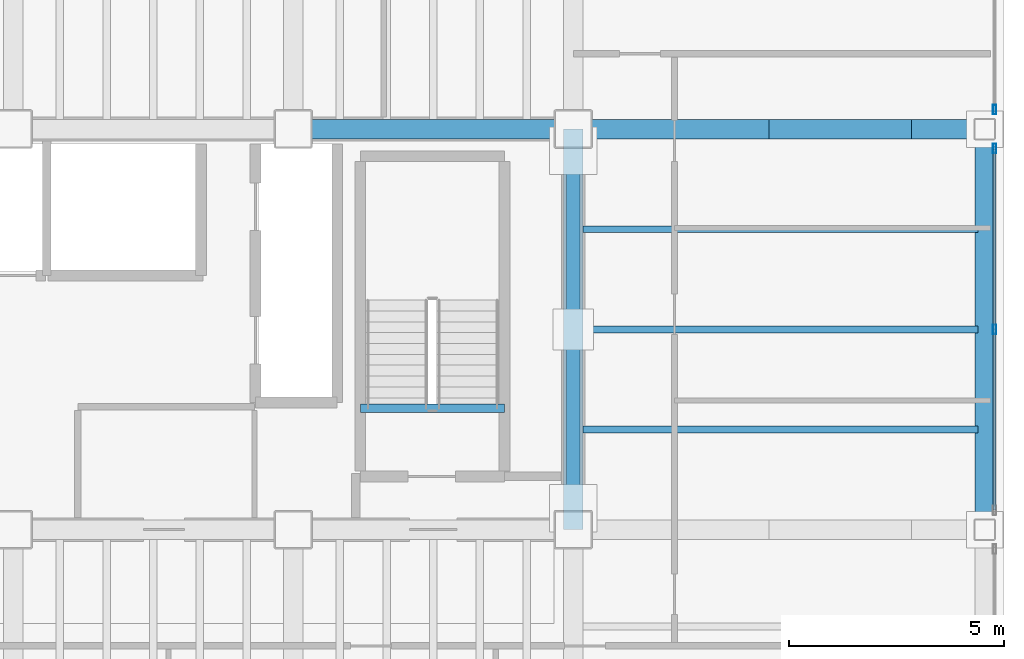
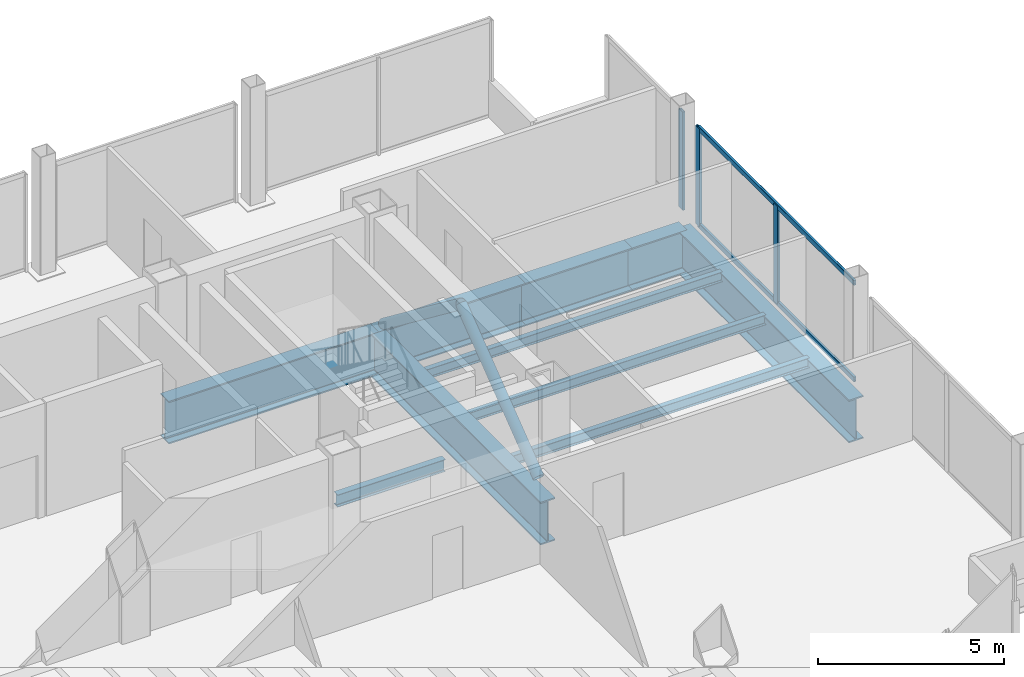
# One storey, part 13 of 19: 10 beams, 7 members, 2 elements without a shape of their own.
"""IFC4 building model written with IfcOpenShell, lengths in metres."""

from ifc_helpers import new_model, si_unit, direction, frame, origin, origin_2d, place, context, subcontext, project, spatial, hollow_rectangle, hollow_circle, i_section, extrude, material, material_profile, profile_set, type_object, element, aggregate, save


model = new_model("IFC4")

# Units and contexts
model_context = context("Model", 3, precision=1e-05, world=origin(), true_north=direction((0.0, 1.0)))
body_context = subcontext(model_context, "Body", "Model", "MODEL_VIEW")
ifc_project = project(units=[si_unit("LENGTHUNIT", "METRE"), si_unit("AREAUNIT", "SQUARE_METRE"), si_unit("VOLUMEUNIT", "CUBIC_METRE"), si_unit("PLANEANGLEUNIT", "RADIAN"), si_unit("MASSUNIT", "GRAM", prefix="KILO")], contexts=[model_context])

# Site, building, storey
site_placement = place(None, origin())
site = spatial("IfcSite", under=ifc_project, at=site_placement, CompositionType="ELEMENT")
building_placement = place(site_placement, origin())
building = spatial("IfcBuilding", under=site, at=building_placement, Name="Noeulbin Bourse Tower", CompositionType="ELEMENT")
storey_placement = place(building_placement, frame((0.0, 0.0, 169.5)))
storey = spatial("IfcBuildingStorey", under=building, at=storey_placement, Name="L42", CompositionType="ELEMENT", Elevation=169.5)

# Beams
ifc_material_1 = material(Name="Steel S355", Category="steel")
ifc_material_profile_1 = material_profile(ifc_material_1, i_section(OverallWidth=0.159912109375, OverallDepth=0.320068359375, WebThickness=0.006591796875, FlangeThickness=0.010009765625, FilletRadius=0.012939453125, at=origin_2d()), Name="H-320x160x6.5x10", Category="LoadBearing")
ifc_profile_set_1 = profile_set([ifc_material_profile_1], Name="Steel S355")
beam_type_1 = type_object("IfcBeamType", Name="BM-JST-320", PredefinedType="JOIST", material=ifc_profile_set_1)
for number, where, z_axis, x_axis, name in (
    (1, (44.22509765625, 31.324951171875, -0.39990234375), (1.0, 0.0, 0.0), (0.0, 1.0, 0.0), "Wing Composite Joist L42-E74"),
    (2, (44.22509765625, 33.64990234375, -0.39990234375), (1.0, 0.0, 0.0), (0.0, 1.0, 0.0), "Wing Composite Joist L42-E75"),
    (3, (44.22509765625, 35.97509765625, -0.39990234375), (1.0, 0.0, 0.0), (0.0, 1.0, 0.0), "Wing Composite Joist L42-E76"),
):
    element("IfcBeam", number, at=place(storey_placement, frame(where, z_axis=z_axis, x_axis=x_axis)), inside=storey, type_object=beam_type_1, Name=name, PredefinedType="JOIST", context=body_context, shape_type="SweptSolid", body=[
        extrude(i_section(OverallWidth=0.159912109375, OverallDepth=0.320068359375, WebThickness=0.006591796875, FlangeThickness=0.010009765625, FilletRadius=0.012939453125, at=origin_2d()), origin(), (0.0, 0.0, 1.0), 9.1748046875),
    ])
ifc_material_profile_2 = material_profile(ifc_material_1, i_section(OverallWidth=0.199951171875, OverallDepth=0.39990234375, WebThickness=0.008056640625, FlangeThickness=0.012939453125, FilletRadius=0.01611328125, at=origin_2d()), Name="H-400x200x8x13", Category="LoadBearing")
ifc_profile_set_2 = profile_set([ifc_material_profile_2], Name="Steel S355")
beam_type_2 = type_object("IfcBeamType", Name="BM-SEC-400", PredefinedType="BEAM", material=ifc_profile_set_2)
beam_1_placement = place(storey_placement, frame((39.06005859375, 31.820068359375, -0.199951171875), z_axis=(1.0, 0.0, 0.0), x_axis=(0.0, 1.0, 0.0)))
element("IfcBeam", 4, at=beam_1_placement, inside=storey, type_object=beam_type_2, Name="Stair Threshold Trimmer Beam ST2-L42", PredefinedType="BEAM", context=body_context, shape_type="SweptSolid", body=[
    extrude(i_section(OverallWidth=0.199951171875, OverallDepth=0.39990234375, WebThickness=0.008056640625, FlangeThickness=0.012939453125, FilletRadius=0.01611328125, at=origin_2d()), origin(), (0.0, 0.0, 1.0), 3.33984375),
])
ifc_material_2 = material(Name="Steel S460", Category="steel")
ifc_material_profile_3 = material_profile(ifc_material_2, i_section(OverallWidth=0.449951171875, OverallDepth=1.39990234375, WebThickness=0.02392578125, FlangeThickness=0.0400390625, FilletRadius=0.02392578125, at=origin_2d()), Name="PG-1400x450x24x40", Category="LoadBearing")
ifc_profile_set_3 = profile_set([ifc_material_profile_3], Name="Steel S460")
beam_type_3 = type_object("IfcBeamType", Name="BM-TRF-1400", PredefinedType="USERDEFINED", material=ifc_profile_set_3)
beam_2_placement = place(storey_placement, frame((37.5, 38.300048828125, -0.93994140625), z_axis=(1.0, 0.0, 0.0), x_axis=(0.0, 1.0, 0.0)))
element("IfcBeam", 5, at=beam_2_placement, inside=storey, type_object=beam_type_3, Name="Tower Primary Girder EW L42-3.5", ObjectType="GIRDER", PredefinedType="USERDEFINED", context=body_context, shape_type="SweptSolid", body=[
    extrude(i_section(OverallWidth=0.449951171875, OverallDepth=1.39990234375, WebThickness=0.02392578125, FlangeThickness=0.0400390625, FilletRadius=0.02392578125, at=origin_2d()), origin(), (0.0, 0.0, 1.0), 6.5),
])
beam_3_placement = place(storey_placement, frame((44.0, 38.300048828125, -0.93994140625), z_axis=(1.0, 0.0, 0.0), x_axis=(0.0, 1.0, 0.0)))
element("IfcBeam", 6, at=beam_3_placement, inside=storey, type_object=beam_type_3, Name="Tower Primary Girder EW L42-3.6", ObjectType="GIRDER", PredefinedType="USERDEFINED", context=body_context, shape_type="SweptSolid", body=[
    extrude(i_section(OverallWidth=0.449951171875, OverallDepth=1.39990234375, WebThickness=0.02392578125, FlangeThickness=0.0400390625, FilletRadius=0.02392578125, at=origin_2d()), origin(), (0.0, 0.0, 1.0), 4.550048828125),
])
beam_4_placement = place(storey_placement, frame((48.550048828125, 38.300048828125, -0.93994140625), z_axis=(1.0, 0.0, 0.0), x_axis=(0.0, 1.0, 0.0)))
element("IfcBeam", 7, at=beam_4_placement, inside=storey, type_object=beam_type_3, Name="Tower Primary Girder EW L42-3.7", ObjectType="GIRDER", PredefinedType="USERDEFINED", context=body_context, shape_type="SweptSolid", body=[
    extrude(i_section(OverallWidth=0.449951171875, OverallDepth=1.39990234375, WebThickness=0.02392578125, FlangeThickness=0.0400390625, FilletRadius=0.02392578125, at=origin_2d()), origin(), (0.0, 0.0, 1.0), 3.300048828125),
])
beam_5_placement = place(storey_placement, frame((51.85009765625, 38.300048828125, -0.93994140625), z_axis=(1.0, 0.0, 0.0), x_axis=(0.0, 1.0, 0.0)))
element("IfcBeam", 8, at=beam_5_placement, inside=storey, type_object=beam_type_3, Name="Tower Primary Girder EW L42-3.8", ObjectType="GIRDER", PredefinedType="USERDEFINED", context=body_context, shape_type="SweptSolid", body=[
    extrude(i_section(OverallWidth=0.449951171875, OverallDepth=1.39990234375, WebThickness=0.02392578125, FlangeThickness=0.0400390625, FilletRadius=0.02392578125, at=origin_2d()), origin(), (0.0, 0.0, 1.0), 1.699951171875),
])
for number, where, z_axis, x_axis, name in (
    (9, (44.0, 29.0, -0.93994140625), (0.0, 1.0, 0.0), (-1.0, 0.0, 0.0), "Tower Primary Girder NS L42-5.3"),
    (10, (53.550048828125, 29.0, -0.93994140625), (0.0, 1.0, 0.0), (-1.0, 0.0, 0.0), "East Spandrel L42-2"),
):
    element("IfcBeam", number, at=place(storey_placement, frame(where, z_axis=z_axis, x_axis=x_axis)), inside=storey, type_object=beam_type_3, Name=name, ObjectType="GIRDER", PredefinedType="USERDEFINED", context=body_context, shape_type="SweptSolid", body=[
        extrude(i_section(OverallWidth=0.449951171875, OverallDepth=1.39990234375, WebThickness=0.02392578125, FlangeThickness=0.0400390625, FilletRadius=0.02392578125, at=origin_2d()), origin(), (0.0, 0.0, 1.0), 9.300048828125),
    ])

# Curtain wall, members
ifc_material_3 = material(Name="Dark Tinted Triple Glazing", Category="glass")
curtain_wall_type = type_object("IfcCurtainWallType", Name="CW-SYS-3", PredefinedType="NOTDEFINED", material=ifc_material_3)
curtain_wall_1_placement = place(storey_placement, origin())
curtain_wall_1 = element("IfcCurtainWall", 11, at=curtain_wall_1_placement, inside=storey, type_object=curtain_wall_type, Name="Unitised Curtain Wall CW-L42-E-S2", PredefinedType="NOTDEFINED")
ifc_material_4 = material(Name="Anodised Aluminium 6063-T6", Category="aluminium")
ifc_material_profile_4 = material_profile(ifc_material_4, hollow_rectangle(XDim=0.074951171875, YDim=0.219970703125, WallThickness=0.0048828125, InnerFilletRadius=0.00244140625, OuterFilletRadius=0.0048828125, at=origin_2d()), Name="ALU-MULL-75x220x5", Category="LoadBearing")
ifc_profile_set_4 = profile_set([ifc_material_profile_4], Name="Anodised Aluminium 6063-T6")
member_type_1 = type_object("IfcMemberType", Name="CW-SYS-3-MUL", PredefinedType="MULLION", material=ifc_profile_set_4)
member_1_placement = place(storey_placement, frame((53.780029296875, 33.64990234375, -0.02001953125), z_axis=(0.0, 0.0, 1.0), x_axis=(1.0, 0.0, 0.0)))
member_1 = element("IfcMember", 12, at=member_1_placement, type_object=member_type_1, Name="Curtain Wall Mullion CW-L42-E-S2-M01", PredefinedType="MULLION", context=body_context, shape_type="SweptSolid", body=[
    extrude(hollow_rectangle(XDim=0.074951171875, YDim=0.219970703125, WallThickness=0.0048828125, InnerFilletRadius=0.00244140625, OuterFilletRadius=0.0048828125, at=origin_2d()), origin(), (0.0, 0.0, 1.0), 3.219970703125),
])
member_2_placement = place(storey_placement, frame((53.780029296875, 37.85009765625, -0.02001953125), z_axis=(0.0, 0.0, 1.0), x_axis=(1.0, 0.0, 0.0)))
member_2 = element("IfcMember", 13, at=member_2_placement, type_object=member_type_1, Name="Curtain Wall Mullion CW-L42-E-S2-M02", PredefinedType="MULLION", context=body_context, shape_type="SweptSolid", body=[
    extrude(hollow_rectangle(XDim=0.074951171875, YDim=0.219970703125, WallThickness=0.0048828125, InnerFilletRadius=0.00244140625, OuterFilletRadius=0.0048828125, at=origin_2d()), origin(), (0.0, 0.0, 1.0), 3.219970703125),
])

# Curtain wall, member
curtain_wall_2_placement = place(storey_placement, origin())
curtain_wall_2 = element("IfcCurtainWall", 14, at=curtain_wall_2_placement, inside=storey, type_object=curtain_wall_type, Name="Unitised Curtain Wall CW-L42-E-S3", PredefinedType="NOTDEFINED")
member_3_placement = place(storey_placement, frame((53.780029296875, 38.75, -0.02001953125), z_axis=(0.0, 0.0, 1.0), x_axis=(1.0, 0.0, 0.0)))
member_3 = element("IfcMember", 15, at=member_3_placement, type_object=member_type_1, Name="Curtain Wall Mullion CW-L42-E-S3-M00", PredefinedType="MULLION", context=body_context, shape_type="SweptSolid", body=[
    extrude(hollow_rectangle(XDim=0.074951171875, YDim=0.219970703125, WallThickness=0.0048828125, InnerFilletRadius=0.00244140625, OuterFilletRadius=0.0048828125, at=origin_2d()), origin(), (0.0, 0.0, 1.0), 3.219970703125),
])
aggregate(curtain_wall_2, [member_3])

# Member
ifc_material_profile_5 = material_profile(ifc_material_4, hollow_rectangle(XDim=0.074951171875, YDim=0.159912109375, WallThickness=0.0048828125, InnerFilletRadius=0.00244140625, OuterFilletRadius=0.0048828125, at=origin_2d()), Name="ALU-TRAN-75x160x5", Category="LoadBearing")
ifc_profile_set_5 = profile_set([ifc_material_profile_5], Name="Anodised Aluminium 6063-T6")
member_type_2 = type_object("IfcMemberType", Name="CW-SYS-3-TRN", PredefinedType="USERDEFINED", material=ifc_profile_set_5)
member_4_placement = place(storey_placement, frame((53.780029296875, 29.4599609375, 0.010009765625), z_axis=(0.0, 1.0, 0.0), x_axis=(-1.0, 0.0, 0.0)))
member_4 = element("IfcMember", 16, at=member_4_placement, type_object=member_type_2, Name="Curtain Wall Transom CW-L42-E-S2-T00", ObjectType="TRANSOM", PredefinedType="USERDEFINED", context=body_context, shape_type="SweptSolid", body=[
    extrude(hollow_rectangle(XDim=0.074951171875, YDim=0.159912109375, WallThickness=0.0048828125, InnerFilletRadius=0.00244140625, OuterFilletRadius=0.0048828125, at=origin_2d()), origin(), (0.0, 0.0, 1.0), 8.380126953125),
])

member_5_placement = place(storey_placement, frame((53.780029296875, 29.4599609375, 3.169921875), z_axis=(0.0, 1.0, 0.0), x_axis=(-1.0, 0.0, 0.0)))
member_5 = element("IfcMember", 17, at=member_5_placement, type_object=member_type_2, Name="Curtain Wall Transom CW-L42-E-S2-T01", ObjectType="TRANSOM", PredefinedType="USERDEFINED", context=body_context, shape_type="SweptSolid", body=[
    extrude(hollow_rectangle(XDim=0.074951171875, YDim=0.159912109375, WallThickness=0.0048828125, InnerFilletRadius=0.00244140625, OuterFilletRadius=0.0048828125, at=origin_2d()), origin(), (0.0, 0.0, 1.0), 8.380126953125),
])

aggregate(curtain_wall_1, [member_1, member_2, member_4, member_5])

# Members
ifc_material_profile_6 = material_profile(ifc_material_1, hollow_circle(Radius=0.1591796875, WallThickness=0.01025390625, at=origin_2d()), Name="CHS-318.5x10.3", Category="LoadBearing")
ifc_profile_set_6 = profile_set([ifc_material_profile_6], Name="Steel S355")
member_type_3 = type_object("IfcMemberType", Name="MEM-EXO-318", PredefinedType="BRACE", material=ifc_profile_set_6)
member_6_placement = place(storey_placement, frame((44.0, 29.5, 0.199951171875), z_axis=(0.0, 0.794661610537, 0.607052654008), x_axis=(-1.0, 0.0, 0.0)))
element("IfcMember", 18, at=member_6_placement, inside=storey, type_object=member_type_3, Name="Core Flank Chevron Brace XT-L42-E1", PredefinedType="BRACE", context=body_context, shape_type="SweptSolid", body=[
    extrude(hollow_circle(Radius=0.1591796875, WallThickness=0.01025390625, at=origin_2d()), origin(), (0.0, 0.0, 1.0), 5.22216796875),
])
member_7_placement = place(storey_placement, frame((44.0, 33.64990234375, 3.3701171875), z_axis=(0.0, 0.794678837667, -0.607030102189), x_axis=(-1.0, 0.0, 0.0)))
element("IfcMember", 19, at=member_7_placement, inside=storey, type_object=member_type_3, Name="Core Flank Chevron Brace XT-L42-E2", PredefinedType="BRACE", context=body_context, shape_type="SweptSolid", body=[
    extrude(hollow_circle(Radius=0.1591796875, WallThickness=0.01025390625, at=origin_2d()), origin(), (0.0, 0.0, 1.0), 5.222412109375),
])

save(model, "model.ifc")
